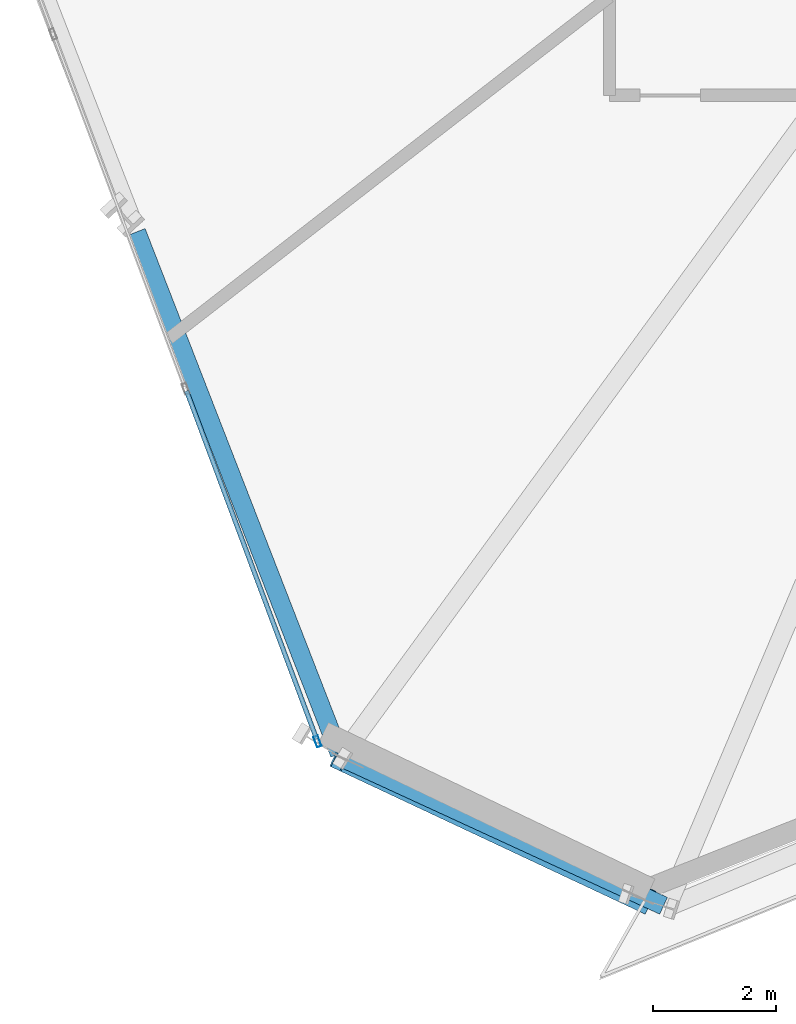
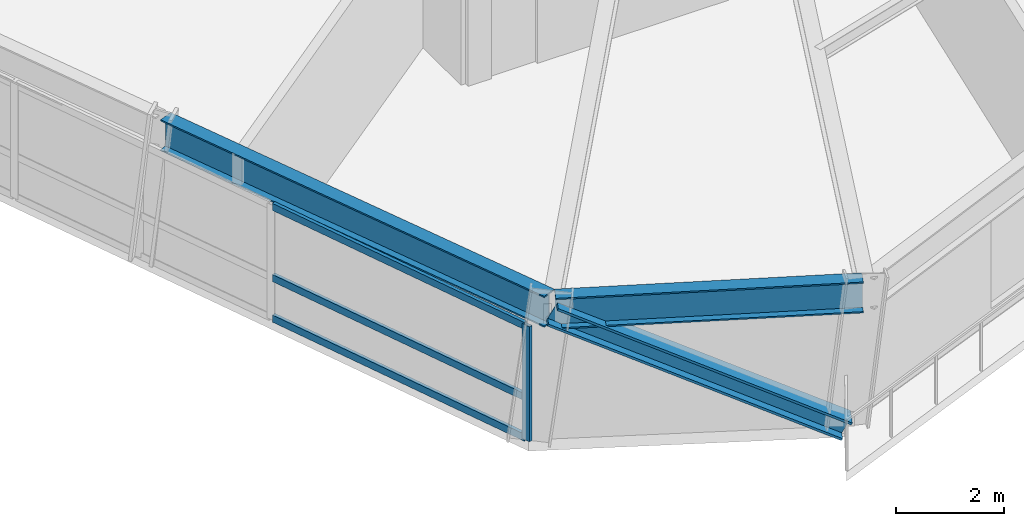
# One storey, part 2 of 21: 5 members, 2 beams, 1 element without a shape of its own.
"""IFC4 building model written with IfcOpenShell, lengths in metres."""

from ifc_helpers import new_model, si_unit, direction, frame, origin, origin_2d, place, context, subcontext, project, spatial, hollow_rectangle, i_section, extrude, source, transform, mapped, material, material_profile, profile_set, type_object, element, aggregate, save


model = new_model("IFC4")

# Units and contexts
model_context = context("Model", 3, precision=1e-05, world=origin(), true_north=direction((0.0, 1.0)))
body_context = subcontext(model_context, "Body", "Model", "MODEL_VIEW")
ifc_project = project(units=[si_unit("LENGTHUNIT", "METRE"), si_unit("AREAUNIT", "SQUARE_METRE"), si_unit("VOLUMEUNIT", "CUBIC_METRE"), si_unit("PLANEANGLEUNIT", "RADIAN"), si_unit("MASSUNIT", "GRAM", prefix="KILO")], contexts=[model_context])

# Site, building, storey
site_placement = place(None, origin())
site = spatial("IfcSite", under=ifc_project, at=site_placement, CompositionType="ELEMENT")
building_placement = place(site_placement, origin())
building = spatial("IfcBuilding", under=site, at=building_placement, Name="Olszyna Solenne Hotel", CompositionType="ELEMENT")
storey_placement = place(building_placement, frame((0.0, 0.0, 68.35009765625)))
storey = spatial("IfcBuildingStorey", under=building, at=storey_placement, Name="L17", CompositionType="ELEMENT", Elevation=68.35009765625)

# Beams
ifc_material_1 = material(Name="Steel S355J2", Category="steel")
ifc_material_profile_1 = material_profile(ifc_material_1, i_section(OverallWidth=0.300048828125, OverallDepth=0.699951171875, WebThickness=0.01708984375, FlangeThickness=0.031982421875, at=origin_2d()), Name="HEB 700", Category="load-bearing")
ifc_profile_set_1 = profile_set([ifc_material_profile_1], Name="Steel S355J2")
beam_type = type_object("IfcBeamType", Name="BM-S1", PredefinedType="BEAM", material=ifc_profile_set_1)
shared_shape_1 = source(origin(), body_context, "Body", "SweptSolid", [
    extrude(i_section(OverallWidth=0.300048828125, OverallDepth=0.699951171875, WebThickness=0.01708984375, FlangeThickness=0.031982421875, at=origin_2d()), origin(), (0.0, 0.0, 1.0), 9.08642578125),
])
beam_1_placement = place(storey_placement, frame((19.625732421875, 14.484130859375, 2.949951171875), z_axis=(0.362302330906, -0.932060631622, 0.0), x_axis=(0.932060631622, 0.362302330906, 0.0)))
element("IfcBeam", 1, at=beam_1_placement, inside=storey, type_object=beam_type, Name="Perimeter spandrel beam BM-S1 B-L17-0531", PredefinedType="BEAM", context=body_context, shape_type="MappedRepresentation", body=[
    mapped(shared_shape_1, transform((0.0, 0.0, 0.0), x_axis=(1.0, 0.0, 0.0), y_axis=(0.0, 1.0, 0.0), z_axis=(0.0, 0.0, 1.0), scale=1.0)),
])
shared_shape_2 = source(origin(), body_context, "Body", "SweptSolid", [
    extrude(i_section(OverallWidth=0.300048828125, OverallDepth=0.699951171875, WebThickness=0.01708984375, FlangeThickness=0.031982421875, at=origin_2d()), origin(), (0.0, 0.0, 1.0), 5.705322265625),
])
beam_2_placement = place(storey_placement, frame((22.993896484375, 5.93408203125, 2.949951171875), z_axis=(0.908527166788, -0.417825785715, 0.0), x_axis=(0.417825785715, 0.908527166788, 0.0)))
element("IfcBeam", 2, at=beam_2_placement, inside=storey, type_object=beam_type, Name="Perimeter spandrel beam BM-S1 B-L17-0532", PredefinedType="BEAM", context=body_context, shape_type="MappedRepresentation", body=[
    mapped(shared_shape_2, transform((0.0, 0.0, 0.0), x_axis=(1.0, 0.0, 0.0), y_axis=(0.0, 1.0, 0.0), z_axis=(0.0, 0.0, 1.0), scale=1.0)),
])

# Member
ifc_material_2 = material(Name="Steel S460M", Category="steel")
ifc_material_profile_2 = material_profile(ifc_material_2, i_section(OverallWidth=0.412109375, OverallDepth=0.43505859375, WebThickness=0.031494140625, FlangeThickness=0.050048828125, at=origin_2d()), Name="HD 400x463", Category="load-bearing")
ifc_profile_set_2 = profile_set([ifc_material_profile_2], Name="Steel S460M")
member_type_1 = type_object("IfcMemberType", Name="BR-T1", PredefinedType="BRACE", material=ifc_profile_set_2)
shared_shape_3 = source(origin(), body_context, "Body", "SweptSolid", [
    extrude(i_section(OverallWidth=0.412109375, OverallDepth=0.43505859375, WebThickness=0.031494140625, FlangeThickness=0.050048828125, at=origin_2d()), origin(), (0.0, 0.0, 1.0), 6.17724609375),
])
member_1_placement = place(storey_placement, frame((27.87451171875, 3.642578125, 0.010009765625), z_axis=(-0.798897873072, 0.375024335489, 0.470232853162), x_axis=(-0.424936344435, -0.905223233892, 0.0)))
element("IfcMember", 3, at=member_1_placement, inside=storey, type_object=member_type_1, Name="Perimeter braced-tube diagonal BR-T1 BR-L17-3", PredefinedType="BRACE", context=body_context, shape_type="MappedRepresentation", body=[
    mapped(shared_shape_3, transform((0.0, 0.0, 0.0), x_axis=(1.0, 0.0, 0.0), y_axis=(0.0, 1.0, 0.0), z_axis=(0.0, 0.0, 1.0), scale=1.0)),
])

# Curtain wall, members
ifc_material_3 = material(Name="Anodised bronze aluminium", Category="aluminium")
curtain_wall_type = type_object("IfcCurtainWallType", Name="CW-SYS-2", PredefinedType="NOTDEFINED", material=ifc_material_3)
curtain_wall_placement = place(storey_placement, origin())
curtain_wall = element("IfcCurtainWall", 4, at=curtain_wall_placement, inside=storey, type_object=curtain_wall_type, Name="Unitised curtain wall CW-SYS-2 CW-L17-01", PredefinedType="NOTDEFINED")
ifc_material_profile_3 = material_profile(ifc_material_3, hollow_rectangle(XDim=0.074951171875, YDim=0.179931640625, WallThickness=0.00439453125, at=origin_2d()), Name="MULL 180x75x4.5", Category="load-bearing")
ifc_profile_set_3 = profile_set([ifc_material_profile_3], Name="Anodised bronze aluminium")
member_type_2 = type_object("IfcMemberType", Name="CW-M2", PredefinedType="MULLION", material=ifc_profile_set_3)
shared_shape_4 = source(origin(), body_context, "Body", "SweptSolid", [
    extrude(hollow_rectangle(XDim=0.074951171875, YDim=0.179931640625, WallThickness=0.00439453125, at=origin_2d()), origin(), (0.0, 0.0, 1.0), 2.591796875),
])
member_2_placement = place(storey_placement, frame((22.561767578125, 6.216796875, 0.0), z_axis=(0.0, 0.0, 1.0), x_axis=(0.936756287114, 0.349982368916, 0.0)))
member_2 = element("IfcMember", 5, at=member_2_placement, type_object=member_type_2, Name="Curtain-wall mullion CW-M2 CM-L17-01-04", PredefinedType="MULLION", context=body_context, shape_type="MappedRepresentation", body=[
    mapped(shared_shape_4, transform((0.0, 0.0, 0.0), x_axis=(1.0, 0.0, 0.0), y_axis=(0.0, 1.0, 0.0), z_axis=(0.0, 0.0, 1.0), scale=1.0)),
])
ifc_material_profile_4 = material_profile(ifc_material_3, hollow_rectangle(XDim=0.074951171875, YDim=0.159912109375, WallThickness=0.00390625, at=origin_2d()), Name="TRAN 160x75x4", Category="load-bearing")
ifc_profile_set_4 = profile_set([ifc_material_profile_4], Name="Anodised bronze aluminium")
member_type_3 = type_object("IfcMemberType", Name="CW-T1", PredefinedType="USERDEFINED", material=ifc_profile_set_4)
shared_shape_5 = source(origin(), body_context, "Body", "SweptSolid", [
    extrude(hollow_rectangle(XDim=0.074951171875, YDim=0.159912109375, WallThickness=0.00390625, at=origin_2d()), origin(), (0.0, 0.0, 1.0), 6.0322265625),
])
member_3_placement = place(storey_placement, frame((20.4375, 11.90283203125, 0.037353515625), z_axis=(0.349961126666, -0.936764223176, 0.0), x_axis=(0.936764223176, 0.349961126666, 0.0)))
member_3 = element("IfcMember", 6, at=member_3_placement, type_object=member_type_3, Name="Curtain-wall transom CW-T1 CT-L17-01-07", ObjectType="TRANSOM", PredefinedType="USERDEFINED", context=body_context, shape_type="MappedRepresentation", body=[
    mapped(shared_shape_5, transform((0.0, 0.0, 0.0), x_axis=(1.0, 0.0, 0.0), y_axis=(0.0, 1.0, 0.0), z_axis=(0.0, 0.0, 1.0), scale=1.0)),
])
member_4_placement = place(storey_placement, frame((20.4375, 11.90283203125, 0.949951171875), z_axis=(0.349961126666, -0.936764223176, 0.0), x_axis=(0.936764223176, 0.349961126666, 0.0)))
member_4 = element("IfcMember", 7, at=member_4_placement, type_object=member_type_3, Name="Curtain-wall transom CW-T1 CT-L17-01-08", ObjectType="TRANSOM", PredefinedType="USERDEFINED", context=body_context, shape_type="MappedRepresentation", body=[
    mapped(shared_shape_5, transform((0.0, 0.0, 0.0), x_axis=(1.0, 0.0, 0.0), y_axis=(0.0, 1.0, 0.0), z_axis=(0.0, 0.0, 1.0), scale=1.0)),
])
member_5_placement = place(storey_placement, frame((20.4375, 11.90283203125, 2.554443359375), z_axis=(0.349961126666, -0.936764223176, 0.0), x_axis=(0.936764223176, 0.349961126666, 0.0)))
member_5 = element("IfcMember", 8, at=member_5_placement, type_object=member_type_3, Name="Curtain-wall transom CW-T1 CT-L17-01-09", ObjectType="TRANSOM", PredefinedType="USERDEFINED", context=body_context, shape_type="MappedRepresentation", body=[
    mapped(shared_shape_5, transform((0.0, 0.0, 0.0), x_axis=(1.0, 0.0, 0.0), y_axis=(0.0, 1.0, 0.0), z_axis=(0.0, 0.0, 1.0), scale=1.0)),
])
aggregate(curtain_wall, [member_2, member_3, member_4, member_5])

save(model, "model.ifc")
